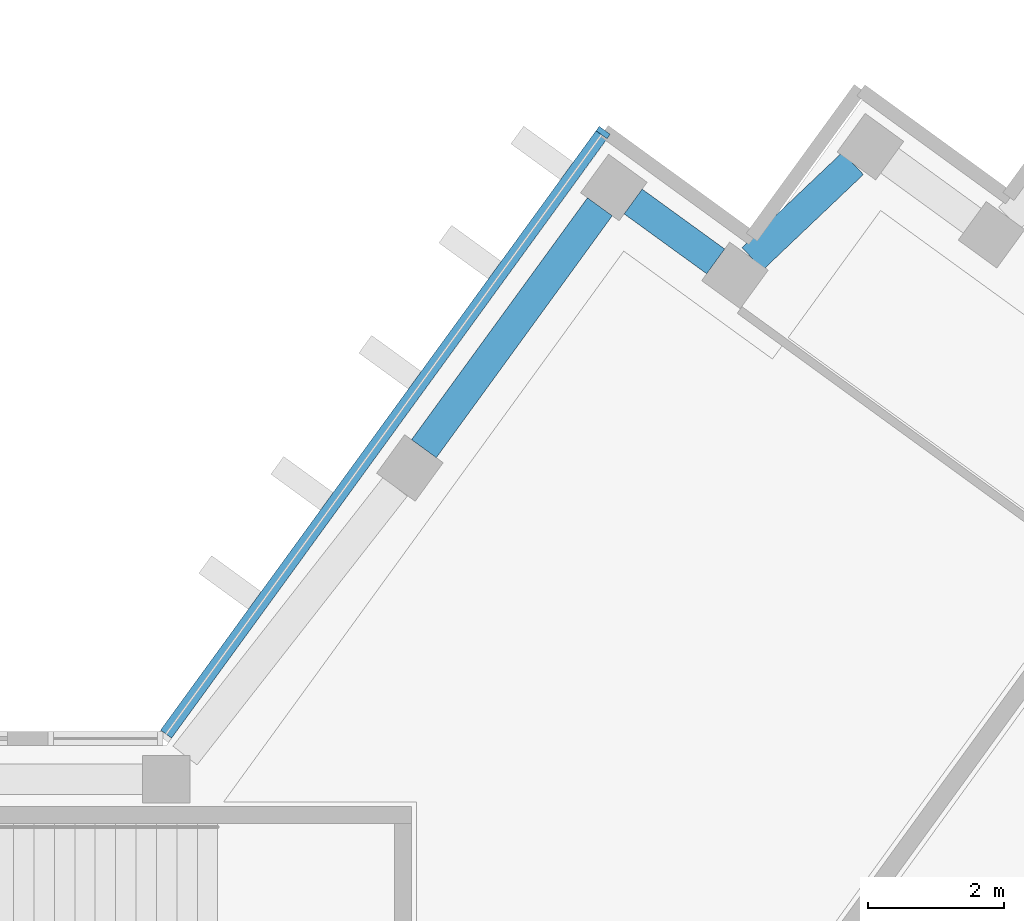
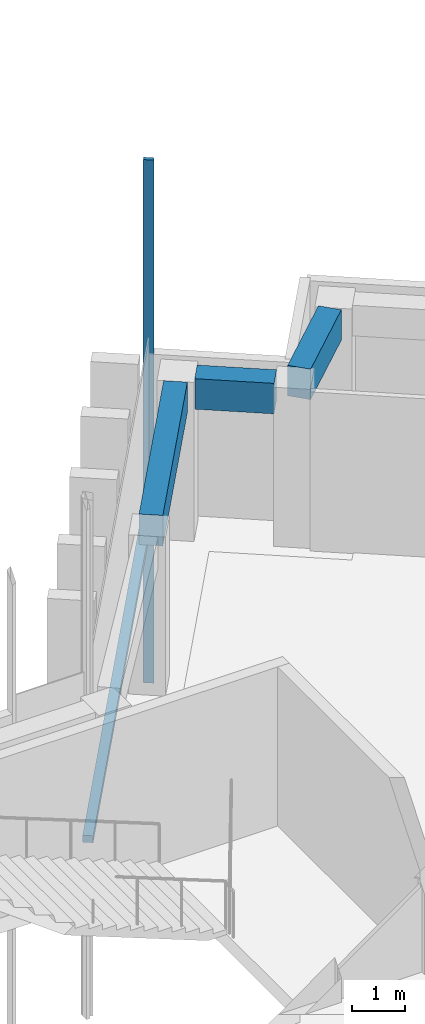
# One storey, part 4 of 14: 3 beams, 2 members, 1 element without a shape of its own.
"""IFC4 building model written with IfcOpenShell, lengths in metres."""

from ifc_helpers import new_model, si_unit, direction, frame, origin, origin_2d, place, context, subcontext, project, spatial, rectangle, extrude, material, material_profile, profile_set, type_object, element, aggregate, save


model = new_model("IFC4")

# Units and contexts
model_context = context("Model", 3, precision=1e-05, world=origin(), true_north=direction((0.0, 1.0)))
body_context = subcontext(model_context, "Body", "Model", "MODEL_VIEW")
ifc_project = project(units=[si_unit("LENGTHUNIT", "METRE"), si_unit("AREAUNIT", "SQUARE_METRE"), si_unit("VOLUMEUNIT", "CUBIC_METRE"), si_unit("PLANEANGLEUNIT", "RADIAN"), si_unit("MASSUNIT", "GRAM", prefix="KILO")], contexts=[model_context])

# Site, building, storey
site_placement = place(None, origin())
site = spatial("IfcSite", under=ifc_project, at=site_placement, CompositionType="ELEMENT")
building_placement = place(site_placement, origin())
building = spatial("IfcBuilding", under=site, at=building_placement, Name="Quipu Civic Tower", CompositionType="ELEMENT")
storey_placement = place(building_placement, frame((0.0, 0.0, 323.0)))
storey = spatial("IfcBuildingStorey", under=building, at=storey_placement, Name="L75", CompositionType="ELEMENT", Elevation=323.0)

# Curtain wall, member
ifc_material_1 = material(Name="Insulated glass unit", Category="glass")
curtain_wall_type = type_object("IfcCurtainWallType", Name="Office curtain wall CW1", PredefinedType="NOTDEFINED", material=ifc_material_1)
curtain_wall_placement = place(storey_placement, origin())
curtain_wall = element("IfcCurtainWall", 1, at=curtain_wall_placement, inside=storey, type_object=curtain_wall_type, Name="Office curtain wall CW1 L74 run 33", PredefinedType="NOTDEFINED")
ifc_material_2 = material(Name="Anodised aluminium", Category="aluminium")
ifc_material_profile_1 = material_profile(ifc_material_2, rectangle(XDim=0.199951171875, YDim=0.080078125, at=origin_2d()), Name="RECT 200x80")
ifc_profile_set_1 = profile_set([ifc_material_profile_1], Name="Anodised aluminium")
member_type_1 = type_object("IfcMemberType", Name="Mullion CW1", PredefinedType="MULLION", material=ifc_profile_set_1)
member_1_placement = place(storey_placement, frame((20.8125, 20.002685546875, -3.919921875), z_axis=(0.0, 0.0, 1.0), x_axis=(0.809015163947, -0.587787771652, 0.0)))
member_1 = element("IfcMember", 2, at=member_1_placement, type_object=member_type_1, Name="CW1 mullion 1", PredefinedType="MULLION", context=body_context, shape_type="SweptSolid", body=[
    extrude(rectangle(XDim=0.199951171875, YDim=0.080078125, at=origin_2d()), origin(), (0.0, 0.0, 1.0), 12.0),
])

# Beams
ifc_material_3 = material(Name="Concrete C50/60", Category="concrete")
ifc_material_profile_2 = material_profile(ifc_material_3, rectangle(XDim=0.449951171875, YDim=0.699951171875, at=origin_2d()), Name="RC450x700")
ifc_profile_set_2 = profile_set([ifc_material_profile_2], Name="Concrete C50/60")
beam_type = type_object("IfcBeamType", Name="Spandrel beam RC 450x700 C50/60", PredefinedType="SPANDREL", material=ifc_profile_set_2)
beam_1_placement = place(storey_placement, frame((24.48193359375, 19.5498046875, 3.300048828125), z_axis=(-0.72511931772, -0.6886232461, 0.0), x_axis=(0.6886232461, -0.72511931772, 0.0)))
element("IfcBeam", 3, at=beam_1_placement, inside=storey, type_object=beam_type, Name="Spandrel beam L75 T-Ei.2-E22 to T-Ei.3-E22", PredefinedType="SPANDREL", context=body_context, shape_type="SweptSolid", body=[
    extrude(rectangle(XDim=0.449951171875, YDim=0.699951171875, at=origin_2d()), origin(), (0.0, 0.0, 1.0), 2.03369140625),
])
beam_2_placement = place(storey_placement, frame((22.466064453125, 18.10986328125, 3.300048828125), z_axis=(-0.809461336076, 0.587173181776, 0.0), x_axis=(-0.587173181776, -0.809461336076, 0.0)))
element("IfcBeam", 4, at=beam_2_placement, inside=storey, type_object=beam_type, Name="Spandrel beam L75 T-Ei.3-E22 to T-Ei.4-E22", PredefinedType="SPANDREL", context=body_context, shape_type="SweptSolid", body=[
    extrude(rectangle(XDim=0.449951171875, YDim=0.699951171875, at=origin_2d()), origin(), (0.0, 0.0, 1.0), 1.498046875),
])
beam_3_placement = place(storey_placement, frame((20.76416015625, 18.911865234375, 3.300048828125), z_axis=(-0.588201428764, -0.808714460857, 0.0), x_axis=(0.808714460857, -0.588201428764, 0.0)))
element("IfcBeam", 5, at=beam_3_placement, inside=storey, type_object=beam_type, Name="Spandrel beam L75 T-Ei.4-E22 to E-IN-01", PredefinedType="SPANDREL", context=body_context, shape_type="SweptSolid", body=[
    extrude(rectangle(XDim=0.449951171875, YDim=0.699951171875, at=origin_2d()), origin(), (0.0, 0.0, 1.0), 4.394287109375),
])

# Member
ifc_material_4 = material(Name="Anodised aluminium", Category="aluminium")
ifc_material_profile_3 = material_profile(ifc_material_4, rectangle(XDim=0.199951171875, YDim=0.159912109375, at=origin_2d()), Name="RECT 200x160")
ifc_profile_set_3 = profile_set([ifc_material_profile_3], Name="Anodised aluminium")
member_type_2 = type_object("IfcMemberType", Name="Transom CW1", PredefinedType="USERDEFINED", material=ifc_profile_set_3)
member_2_placement = place(storey_placement, frame((20.788818359375, 19.97021484375, 0.080078125), z_axis=(-0.587796859727, -0.809008560953, 0.0), x_axis=(0.809008560953, -0.587796859727, 0.0)))
member_2 = element("IfcMember", 6, at=member_2_placement, type_object=member_type_2, Name="CW1 transom 1.2", ObjectType="TRANSOM", PredefinedType="USERDEFINED", context=body_context, shape_type="SweptSolid", body=[
    extrude(rectangle(XDim=0.199951171875, YDim=0.159912109375, at=origin_2d()), origin(), (0.0, 0.0, 1.0), 10.88427734375),
])

aggregate(curtain_wall, [member_1, member_2])

save(model, "model.ifc")
